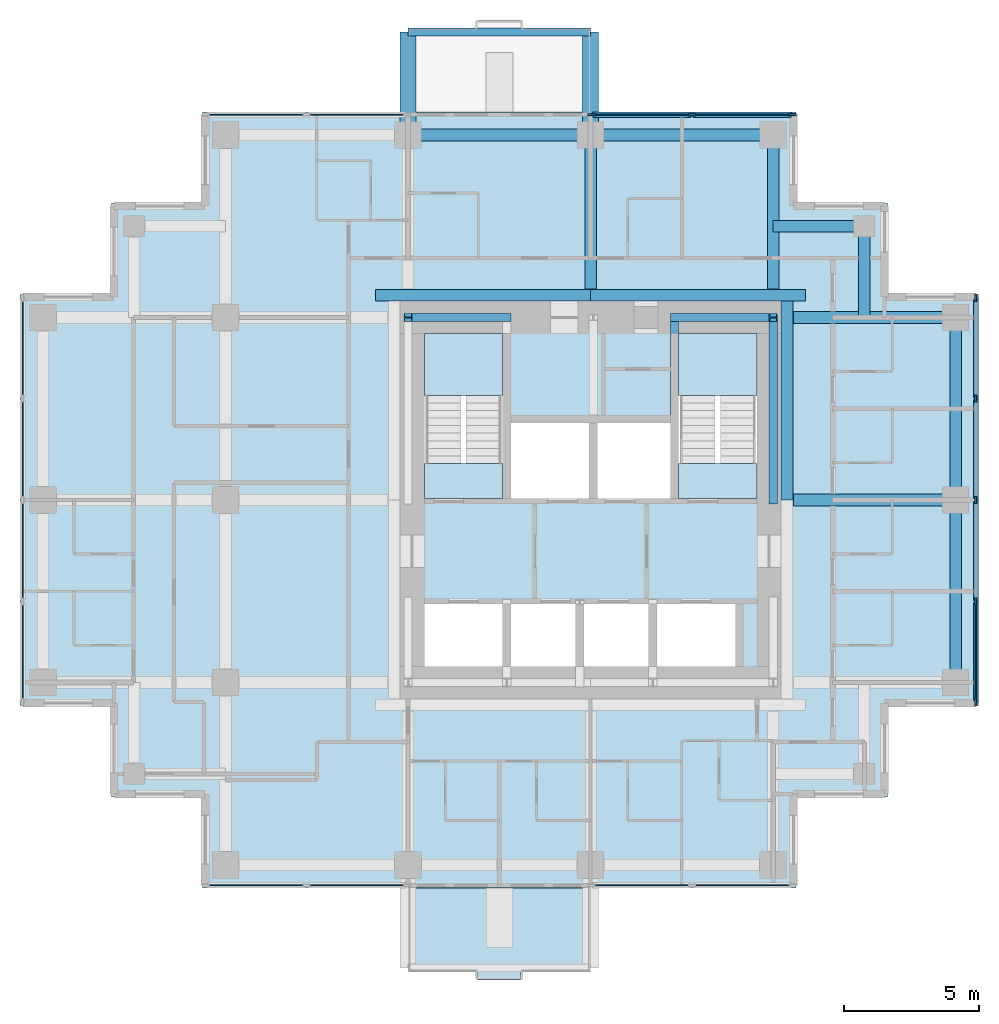
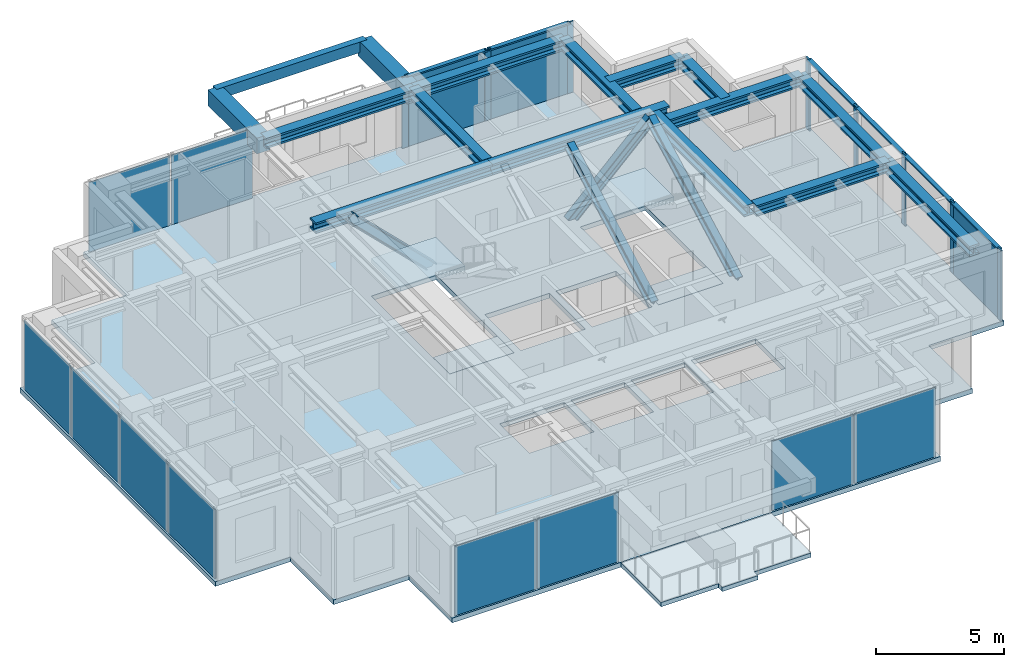
# One storey, part 2 of 8: 18 members, 16 beams, 13 plates, 6 slabs, 8 elements without a shape of their own.
"""IFC4 building model written with IfcOpenShell, lengths in metres."""

from ifc_helpers import new_model, si_unit, direction, frame, origin, origin_2d, place, context, subcontext, project, spatial, polyline, rectangle, i_section, outline, extrude, material, layer, layer_set, material_profile, profile_set, type_object, element, aggregate, save


model = new_model("IFC4")

# Units and contexts
model_context = context("Model", 3, precision=1e-05, world=origin(), true_north=direction((0.0, 1.0)))
body_context = subcontext(model_context, "Body", "Model", "MODEL_VIEW")
ifc_project = project(units=[si_unit("LENGTHUNIT", "METRE"), si_unit("AREAUNIT", "SQUARE_METRE"), si_unit("VOLUMEUNIT", "CUBIC_METRE"), si_unit("PLANEANGLEUNIT", "RADIAN"), si_unit("MASSUNIT", "GRAM", prefix="KILO")], contexts=[model_context])

# Site, building, storey
site_placement = place(None, origin())
site = spatial("IfcSite", under=ifc_project, at=site_placement, CompositionType="ELEMENT")
building_placement = place(site_placement, origin())
building = spatial("IfcBuilding", under=site, at=building_placement, Name="Nyansa Garden Tower", CompositionType="ELEMENT")
storey_placement = place(building_placement, frame((0.0, 0.0, 247.5)))
storey = spatial("IfcBuildingStorey", under=building, at=storey_placement, Name="L67", CompositionType="ELEMENT", Elevation=247.5)

# Beams
ifc_material_1 = material(Name="Concrete C70/85", Category="concrete")
ifc_material_profile_1 = material_profile(ifc_material_1, rectangle(XDim=0.60009765625, YDim=0.75, at=origin_2d()), Name="RC 600x750")
ifc_profile_set_1 = profile_set([ifc_material_profile_1], Name="Concrete C70/85")
beam_type_1 = type_object("IfcBeamType", Name="Balcony cantilever beam CB1 RC 600x750", PredefinedType="BEAM", material=ifc_profile_set_1)
for number, where, z_axis, x_axis, name in (
    (1, (13.5, 33.75, 2.985107421875), (0.0, 1.0, 0.0), (-1.0, 0.0, 0.0), "Balcony cantilever beam L68"),
    (2, (20.25, 33.75, 2.985107421875), (0.0, 1.0, 0.0), (-1.0, 0.0, 0.0), "Balcony cantilever beam L68"),
):
    element("IfcBeam", number, at=place(storey_placement, frame(where, z_axis=z_axis, x_axis=x_axis)), inside=storey, type_object=beam_type_1, Name=name, PredefinedType="BEAM", context=body_context, shape_type="SweptSolid", body=[
        extrude(rectangle(XDim=0.60009765625, YDim=0.75, at=origin_2d()), origin(), (0.0, 0.0, 1.0), 3.800048828125),
    ])
ifc_material_2 = material(Name="Concrete C70/85", Category="concrete")
ifc_material_profile_2 = material_profile(ifc_material_2, rectangle(XDim=0.300048828125, YDim=0.5, at=origin_2d()), Name="RC 300x500")
ifc_profile_set_2 = profile_set([ifc_material_profile_2], Name="Concrete C70/85")
beam_type_2 = type_object("IfcBeamType", Name="Balcony edge beam BE1 RC 300x500", PredefinedType="BEAM", material=ifc_profile_set_2)
beam_1_placement = place(storey_placement, frame((13.5, 37.550048828125, 3.110107421875), z_axis=(1.0, 0.0, 0.0), x_axis=(0.0, 1.0, 0.0)))
element("IfcBeam", 3, at=beam_1_placement, inside=storey, type_object=beam_type_2, Name="Balcony edge beam L68", PredefinedType="BEAM", context=body_context, shape_type="SweptSolid", body=[
    extrude(rectangle(XDim=0.300048828125, YDim=0.5, at=origin_2d()), origin(), (0.0, 0.0, 1.0), 6.75),
])

# Curtain wall, members
ifc_material_3 = material(Name="Black anodised aluminium, dark tinted double glazing", Category="aluminium")
curtain_wall_type = type_object("IfcCurtainWallType", Name="Inner skin curtain wall ISW-D", PredefinedType="USERDEFINED", material=ifc_material_3)
curtain_wall_1_placement = place(storey_placement, origin())
curtain_wall_1 = element("IfcCurtainWall", 4, at=curtain_wall_1_placement, inside=storey, type_object=curtain_wall_type, Name="Inner skin curtain wall L67 E", ObjectType="UNITISED CURTAIN WALL", PredefinedType="USERDEFINED")
ifc_material_4 = material(Name="Black anodised aluminium", Category="aluminium")
ifc_material_profile_3 = material_profile(ifc_material_4, rectangle(XDim=0.070068359375, YDim=0.27490234375, at=origin_2d()), Name="Mullion 275x70")
ifc_profile_set_3 = profile_set([ifc_material_profile_3], Name="Black anodised aluminium")
member_type_1 = type_object("IfcMemberType", Name="Mullion ISW-D 275x70", PredefinedType="MULLION", material=ifc_profile_set_3)
member_1_placement = place(storey_placement, frame((34.5, 12.784912109375, 0.0), z_axis=(0.0, 0.0, 1.0), x_axis=(-1.0, 0.0, 0.0)))
member_1 = element("IfcMember", 5, at=member_1_placement, type_object=member_type_1, Name="ISW-D mullion 1", PredefinedType="MULLION", context=body_context, shape_type="SweptSolid", body=[
    extrude(rectangle(XDim=0.070068359375, YDim=0.27490234375, at=origin_2d()), origin(), (0.0, 0.0, 1.0), 3.375),
])
member_2_placement = place(storey_placement, frame((34.5, 16.5, 0.0), z_axis=(0.0, 0.0, 1.0), x_axis=(-1.0, 0.0, 0.0)))
member_2 = element("IfcMember", 6, at=member_2_placement, type_object=member_type_1, Name="ISW-D mullion 2", PredefinedType="MULLION", context=body_context, shape_type="SweptSolid", body=[
    extrude(rectangle(XDim=0.070068359375, YDim=0.27490234375, at=origin_2d()), origin(), (0.0, 0.0, 1.0), 3.375),
])
member_3_placement = place(storey_placement, frame((34.5, 20.25, 0.0), z_axis=(0.0, 0.0, 1.0), x_axis=(-1.0, 0.0, 0.0)))
member_3 = element("IfcMember", 7, at=member_3_placement, type_object=member_type_1, Name="ISW-D mullion 3", PredefinedType="MULLION", context=body_context, shape_type="SweptSolid", body=[
    extrude(rectangle(XDim=0.070068359375, YDim=0.27490234375, at=origin_2d()), origin(), (0.0, 0.0, 1.0), 3.375),
])
member_4_placement = place(storey_placement, frame((34.5, 24.0, 0.0), z_axis=(0.0, 0.0, 1.0), x_axis=(-1.0, 0.0, 0.0)))
member_4 = element("IfcMember", 8, at=member_4_placement, type_object=member_type_1, Name="ISW-D mullion 4", PredefinedType="MULLION", context=body_context, shape_type="SweptSolid", body=[
    extrude(rectangle(XDim=0.070068359375, YDim=0.27490234375, at=origin_2d()), origin(), (0.0, 0.0, 1.0), 3.375),
])
member_5_placement = place(storey_placement, frame((34.5, 27.715087890625, 0.0), z_axis=(0.0, 0.0, 1.0), x_axis=(-1.0, 0.0, 0.0)))
member_5 = element("IfcMember", 9, at=member_5_placement, type_object=member_type_1, Name="ISW-D mullion 5", PredefinedType="MULLION", context=body_context, shape_type="SweptSolid", body=[
    extrude(rectangle(XDim=0.070068359375, YDim=0.27490234375, at=origin_2d()), origin(), (0.0, 0.0, 1.0), 3.375),
])

curtain_wall_2_placement = place(storey_placement, origin())
curtain_wall_2 = element("IfcCurtainWall", 10, at=curtain_wall_2_placement, inside=storey, type_object=curtain_wall_type, Name="Inner skin curtain wall L67 N", ObjectType="UNITISED CURTAIN WALL", PredefinedType="USERDEFINED")
member_6_placement = place(storey_placement, frame((27.715087890625, 34.5, 0.0), z_axis=(0.0, 0.0, 1.0), x_axis=(0.0, -1.0, 0.0)))
member_6 = element("IfcMember", 11, at=member_6_placement, type_object=member_type_1, Name="ISW-D mullion 1", PredefinedType="MULLION", context=body_context, shape_type="SweptSolid", body=[
    extrude(rectangle(XDim=0.070068359375, YDim=0.27490234375, at=origin_2d()), origin(), (0.0, 0.0, 1.0), 3.375),
])
member_7_placement = place(storey_placement, frame((24.0, 34.5, 0.0), z_axis=(0.0, 0.0, 1.0), x_axis=(0.0, -1.0, 0.0)))
member_7 = element("IfcMember", 12, at=member_7_placement, type_object=member_type_1, Name="ISW-D mullion 2", PredefinedType="MULLION", context=body_context, shape_type="SweptSolid", body=[
    extrude(rectangle(XDim=0.070068359375, YDim=0.27490234375, at=origin_2d()), origin(), (0.0, 0.0, 1.0), 3.375),
])
member_8_placement = place(storey_placement, frame((20.284912109375, 34.5, 0.0), z_axis=(0.0, 0.0, 1.0), x_axis=(0.0, -1.0, 0.0)))
member_8 = element("IfcMember", 13, at=member_8_placement, type_object=member_type_1, Name="ISW-D mullion 3", PredefinedType="MULLION", context=body_context, shape_type="SweptSolid", body=[
    extrude(rectangle(XDim=0.070068359375, YDim=0.27490234375, at=origin_2d()), origin(), (0.0, 0.0, 1.0), 3.375),
])

# Members
ifc_material_5 = material(Name="Steel S355", Category="steel")
ifc_material_profile_4 = material_profile(ifc_material_5, i_section(OverallWidth=0.306884765625, OverallDepth=0.431884765625, WebThickness=0.02099609375, FlangeThickness=0.0400390625, FilletRadius=0.027099609375, at=origin_2d()), Name="HE 400 M")
ifc_profile_set_4 = profile_set([ifc_material_profile_4], Name="Steel S355")
member_type_2 = type_object("IfcMemberType", Name="Perimeter brace HE 400 M", PredefinedType="BRACE", material=ifc_profile_set_4)
for number, where, z_axis, x_axis, name in (
    (14, (17.14990234375, 27.0, 0.0), (-0.711947531702, 0.0, 0.702232662373), (0.0, -1.0, 0.0), "Core brace CN3 L67"),
    (15, (23.35009765625, 27.0, 0.0), (0.711947531702, 0.0, 0.702232662373), (0.0, 1.0, 0.0), "Core brace CN4 L67"),
):
    element("IfcMember", number, at=place(storey_placement, frame(where, z_axis=z_axis, x_axis=x_axis)), inside=storey, type_object=member_type_2, Name=name, PredefinedType="BRACE", context=body_context, shape_type="SweptSolid", body=[
        extrude(i_section(OverallWidth=0.306884765625, OverallDepth=0.431884765625, WebThickness=0.02099609375, FlangeThickness=0.0400390625, FilletRadius=0.027099609375, at=origin_2d()), origin(), (0.0, 0.0, 1.0), 5.126708984375),
    ])
member_9_placement = place(storey_placement, frame((27.0, 20.199951171875, 0.0), z_axis=(0.0, 0.883784057226, 0.467895009796), x_axis=(-1.0, 0.0, 0.0)))
element("IfcMember", 16, at=member_9_placement, inside=storey, type_object=member_type_2, Name="Core brace CE8 L67", PredefinedType="BRACE", context=body_context, shape_type="SweptSolid", body=[
    extrude(i_section(OverallWidth=0.306884765625, OverallDepth=0.431884765625, WebThickness=0.02099609375, FlangeThickness=0.0400390625, FilletRadius=0.027099609375, at=origin_2d()), origin(), (0.0, 0.0, 1.0), 7.6943359375),
])
member_10_placement = place(storey_placement, frame((23.35009765625, 20.449951171875, 0.0), z_axis=(0.0, 0.876353113771, 0.481669201822), x_axis=(-1.0, 0.0, 0.0)))
element("IfcMember", 17, at=member_10_placement, inside=storey, type_object=member_type_2, Name="Core brace CES10 L67", PredefinedType="BRACE", context=body_context, shape_type="SweptSolid", body=[
    extrude(i_section(OverallWidth=0.306884765625, OverallDepth=0.431884765625, WebThickness=0.02099609375, FlangeThickness=0.0400390625, FilletRadius=0.027099609375, at=origin_2d()), origin(), (0.0, 0.0, 1.0), 7.47412109375),
])

# Beams
ifc_material_6 = material(Name="Steel S355", Category="steel")
ifc_material_profile_5 = material_profile(ifc_material_6, i_section(OverallWidth=0.431884765625, OverallDepth=0.498046875, WebThickness=0.0556640625, FlangeThickness=0.0888671875, FilletRadius=0.014892578125, at=origin_2d()), Name="HD 400x744")
ifc_profile_set_5 = profile_set([ifc_material_profile_5], Name="Steel S355")
beam_type_3 = type_object("IfcBeamType", Name="Steel beam SBD1-744 HD 400x744", PredefinedType="BEAM", material=ifc_profile_set_5)
beam_2_placement = place(storey_placement, frame((20.25, 28.050048828125, 3.1259765625), z_axis=(0.0, 1.0, 0.0), x_axis=(-1.0, 0.0, 0.0)))
element("IfcBeam", 18, at=beam_2_placement, inside=storey, type_object=beam_type_3, Name="Steel beam 5/28.050-5/J L68", PredefinedType="BEAM", context=body_context, shape_type="SweptSolid", body=[
    extrude(i_section(OverallWidth=0.431884765625, OverallDepth=0.498046875, WebThickness=0.0556640625, FlangeThickness=0.0888671875, FilletRadius=0.014892578125, at=origin_2d()), origin(), (0.0, 0.0, 1.0), 5.699951171875),
])
beam_3_placement = place(storey_placement, frame((27.75, 20.25, 3.1259765625), z_axis=(1.0, 0.0, 0.0), x_axis=(0.0, 1.0, 0.0)))
element("IfcBeam", 19, at=beam_3_placement, inside=storey, type_object=beam_type_3, Name="Steel beam 27.750/G-7/G L68", PredefinedType="BEAM", context=body_context, shape_type="SweptSolid", body=[
    extrude(i_section(OverallWidth=0.431884765625, OverallDepth=0.498046875, WebThickness=0.0556640625, FlangeThickness=0.0888671875, FilletRadius=0.014892578125, at=origin_2d()), origin(), (0.0, 0.0, 1.0), 6.0),
])
beam_4_placement = place(storey_placement, frame((27.0, 28.050048828125, 3.1259765625), z_axis=(0.0, 1.0, 0.0), x_axis=(-1.0, 0.0, 0.0)))
element("IfcBeam", 20, at=beam_4_placement, inside=storey, type_object=beam_type_3, Name="Steel beam 6/28.050-6/J L68", PredefinedType="BEAM", context=body_context, shape_type="SweptSolid", body=[
    extrude(i_section(OverallWidth=0.431884765625, OverallDepth=0.498046875, WebThickness=0.0556640625, FlangeThickness=0.0888671875, FilletRadius=0.014892578125, at=origin_2d()), origin(), (0.0, 0.0, 1.0), 5.699951171875),
])
beam_5_placement = place(storey_placement, frame((27.75, 27.0, 3.1259765625), z_axis=(1.0, 0.0, 0.0), x_axis=(0.0, 1.0, 0.0)))
element("IfcBeam", 21, at=beam_5_placement, inside=storey, type_object=beam_type_3, Name="Steel beam 27.750/H-7/H L68", PredefinedType="BEAM", context=body_context, shape_type="SweptSolid", body=[
    extrude(i_section(OverallWidth=0.431884765625, OverallDepth=0.498046875, WebThickness=0.0556640625, FlangeThickness=0.0888671875, FilletRadius=0.014892578125, at=origin_2d()), origin(), (0.0, 0.0, 1.0), 6.0),
])
ifc_material_7 = material(Name="Steel S355", Category="steel")
ifc_material_profile_6 = material_profile(ifc_material_7, i_section(OverallWidth=0.431884765625, OverallDepth=0.498046875, WebThickness=0.0556640625, FlangeThickness=0.0888671875, FilletRadius=0.014892578125, at=origin_2d()), Name="HD 400x744")
ifc_profile_set_6 = profile_set([ifc_material_profile_6], Name="Steel S355")
beam_type_4 = type_object("IfcBeamType", Name="Steel beam SEBD-744 HD 400x744", PredefinedType="BEAM", material=ifc_profile_set_6)
for number, where, z_axis, x_axis, name in (
    (22, (13.5, 33.75, 3.1259765625), (1.0, 0.0, 0.0), (0.0, 1.0, 0.0), "Steel edge beam 4/J-5/J L68"),
    (23, (20.25, 33.75, 3.1259765625), (1.0, 0.0, 0.0), (0.0, 1.0, 0.0), "Steel edge beam 5/J-6/J L68"),
    (24, (33.75, 13.5, 3.1259765625), (0.0, 1.0, 0.0), (-1.0, 0.0, 0.0), "Steel edge beam 7/F-7/G L68"),
    (25, (33.75, 20.25, 3.1259765625), (0.0, 1.0, 0.0), (-1.0, 0.0, 0.0), "Steel edge beam 7/G-7/H L68"),
):
    element("IfcBeam", number, at=place(storey_placement, frame(where, z_axis=z_axis, x_axis=x_axis)), inside=storey, type_object=beam_type_4, Name=name, PredefinedType="BEAM", context=body_context, shape_type="SweptSolid", body=[
        extrude(i_section(OverallWidth=0.431884765625, OverallDepth=0.498046875, WebThickness=0.0556640625, FlangeThickness=0.0888671875, FilletRadius=0.014892578125, at=origin_2d()), origin(), (0.0, 0.0, 1.0), 6.75),
    ])
ifc_material_8 = material(Name="Steel S355", Category="steel")
ifc_material_profile_7 = material_profile(ifc_material_8, i_section(OverallWidth=0.431884765625, OverallDepth=0.498046875, WebThickness=0.0556640625, FlangeThickness=0.0888671875, FilletRadius=0.014892578125, at=origin_2d()), Name="HD 400x744")
ifc_profile_set_7 = profile_set([ifc_material_profile_7], Name="Steel S355")
beam_type_5 = type_object("IfcBeamType", Name="Steel beam SLB1-744 HD 400x744", PredefinedType="BEAM", material=ifc_profile_set_7)
beam_6_placement = place(storey_placement, frame((27.51611328125, 20.25, 3.1259765625), z_axis=(0.0, 1.0, 0.0), x_axis=(-1.0, 0.0, 0.0)))
element("IfcBeam", 26, at=beam_6_placement, inside=storey, type_object=beam_type_5, Name="Steel core ledger beam E.2 L68", PredefinedType="BEAM", context=body_context, shape_type="SweptSolid", body=[
    extrude(i_section(OverallWidth=0.431884765625, OverallDepth=0.498046875, WebThickness=0.0556640625, FlangeThickness=0.0888671875, FilletRadius=0.014892578125, at=origin_2d()), origin(), (0.0, 0.0, 1.0), 7.35009765625),
])
for number, where, z_axis, x_axis, name in (
    (27, (28.199951171875, 27.81591796875, 3.1259765625), (-1.0, 0.0, 0.0), (0.0, -1.0, 0.0), "Steel core ledger beam N.1 L68"),
    (28, (20.25, 27.81591796875, 3.1259765625), (-1.0, 0.0, 0.0), (0.0, -1.0, 0.0), "Steel core ledger beam N.2 L68"),
):
    element("IfcBeam", number, at=place(storey_placement, frame(where, z_axis=z_axis, x_axis=x_axis)), inside=storey, type_object=beam_type_5, Name=name, PredefinedType="BEAM", context=body_context, shape_type="SweptSolid", body=[
        extrude(i_section(OverallWidth=0.431884765625, OverallDepth=0.498046875, WebThickness=0.0556640625, FlangeThickness=0.0888671875, FilletRadius=0.014892578125, at=origin_2d()), origin(), (0.0, 0.0, 1.0), 7.949951171875),
    ])
ifc_material_9 = material(Name="Steel S355", Category="steel")
ifc_material_profile_8 = material_profile(ifc_material_9, i_section(OverallWidth=0.431884765625, OverallDepth=0.498046875, WebThickness=0.0556640625, FlangeThickness=0.0888671875, FilletRadius=0.014892578125, at=origin_2d()), Name="HD 400x744")
ifc_profile_set_8 = profile_set([ifc_material_profile_8], Name="Steel S355")
beam_type_6 = type_object("IfcBeamType", Name="Steel beam SSB1-744 HD 400x744", PredefinedType="BEAM", material=ifc_profile_set_8)
for number, where, z_axis, x_axis, name in (
    (29, (30.375, 30.375, 3.1259765625), (0.0, -1.0, 0.0), (1.0, 0.0, 0.0), "Steel step beam 30.375/30.375 L68"),
    (30, (30.375, 30.375, 3.1259765625), (-1.0, 0.0, 0.0), (0.0, -1.0, 0.0), "Steel step beam 30.375/30.375 L68"),
):
    element("IfcBeam", number, at=place(storey_placement, frame(where, z_axis=z_axis, x_axis=x_axis)), inside=storey, type_object=beam_type_6, Name=name, PredefinedType="BEAM", context=body_context, shape_type="SweptSolid", body=[
        extrude(i_section(OverallWidth=0.431884765625, OverallDepth=0.498046875, WebThickness=0.0556640625, FlangeThickness=0.0888671875, FilletRadius=0.014892578125, at=origin_2d()), origin(), (0.0, 0.0, 1.0), 3.375),
    ])

# Member
ifc_material_10 = material(Name="Black anodised aluminium", Category="aluminium")
ifc_material_profile_9 = material_profile(ifc_material_10, rectangle(XDim=0.195068359375, YDim=0.070068359375, at=origin_2d()), Name="Transom 195x70")
ifc_profile_set_9 = profile_set([ifc_material_profile_9], Name="Black anodised aluminium")
member_type_3 = type_object("IfcMemberType", Name="Transom ISW-D 195x70", PredefinedType="USERDEFINED", material=ifc_profile_set_9)
member_11_placement = place(storey_placement, frame((34.5, 12.820068359375, 3.340087890625), z_axis=(0.0, 1.0, 0.0), x_axis=(-1.0, 0.0, 0.0)))
member_11 = element("IfcMember", 31, at=member_11_placement, type_object=member_type_3, Name="ISW-D transom 1", ObjectType="TRANSOM", PredefinedType="USERDEFINED", context=body_context, shape_type="SweptSolid", body=[
    extrude(rectangle(XDim=0.195068359375, YDim=0.070068359375, at=origin_2d()), origin(), (0.0, 0.0, 1.0), 3.64501953125),
])

member_12_placement = place(storey_placement, frame((34.5, 16.534912109375, 3.340087890625), z_axis=(0.0, 1.0, 0.0), x_axis=(-1.0, 0.0, 0.0)))
member_12 = element("IfcMember", 32, at=member_12_placement, type_object=member_type_3, Name="ISW-D transom 2", ObjectType="TRANSOM", PredefinedType="USERDEFINED", context=body_context, shape_type="SweptSolid", body=[
    extrude(rectangle(XDim=0.195068359375, YDim=0.070068359375, at=origin_2d()), origin(), (0.0, 0.0, 1.0), 3.68017578125),
])

member_13_placement = place(storey_placement, frame((34.5, 20.284912109375, 3.340087890625), z_axis=(0.0, 1.0, 0.0), x_axis=(-1.0, 0.0, 0.0)))
member_13 = element("IfcMember", 33, at=member_13_placement, type_object=member_type_3, Name="ISW-D transom 3", ObjectType="TRANSOM", PredefinedType="USERDEFINED", context=body_context, shape_type="SweptSolid", body=[
    extrude(rectangle(XDim=0.195068359375, YDim=0.070068359375, at=origin_2d()), origin(), (0.0, 0.0, 1.0), 3.68017578125),
])

member_14_placement = place(storey_placement, frame((34.5, 24.034912109375, 3.340087890625), z_axis=(0.0, 1.0, 0.0), x_axis=(-1.0, 0.0, 0.0)))
member_14 = element("IfcMember", 34, at=member_14_placement, type_object=member_type_3, Name="ISW-D transom 4", ObjectType="TRANSOM", PredefinedType="USERDEFINED", context=body_context, shape_type="SweptSolid", body=[
    extrude(rectangle(XDim=0.195068359375, YDim=0.070068359375, at=origin_2d()), origin(), (0.0, 0.0, 1.0), 3.64501953125),
])

member_15_placement = place(storey_placement, frame((27.679931640625, 34.5, 3.340087890625), z_axis=(-1.0, 0.0, 0.0), x_axis=(0.0, -1.0, 0.0)))
member_15 = element("IfcMember", 35, at=member_15_placement, type_object=member_type_3, Name="ISW-D transom 1", ObjectType="TRANSOM", PredefinedType="USERDEFINED", context=body_context, shape_type="SweptSolid", body=[
    extrude(rectangle(XDim=0.195068359375, YDim=0.070068359375, at=origin_2d()), origin(), (0.0, 0.0, 1.0), 3.64501953125),
])

member_16_placement = place(storey_placement, frame((23.965087890625, 34.5, 3.340087890625), z_axis=(-1.0, 0.0, 0.0), x_axis=(0.0, -1.0, 0.0)))
member_16 = element("IfcMember", 36, at=member_16_placement, type_object=member_type_3, Name="ISW-D transom 2", ObjectType="TRANSOM", PredefinedType="USERDEFINED", context=body_context, shape_type="SweptSolid", body=[
    extrude(rectangle(XDim=0.195068359375, YDim=0.070068359375, at=origin_2d()), origin(), (0.0, 0.0, 1.0), 3.64501953125),
])

# Slab
ifc_material_11 = material(Name="Concrete C40/50", Category="concrete")
ifc_layer_1 = layer(ifc_material_11, 0.199951171875)
ifc_layer_set_1 = layer_set([ifc_layer_1], Name="Balcony slab BS200")
slab_type_1 = type_object("IfcSlabType", Name="Balcony slab BS200", PredefinedType="FLOOR", material=ifc_layer_set_1)
slab_1_placement = place(storey_placement, frame((0.0, 0.0, -0.239990234375)))
element("IfcSlab", 37, at=slab_1_placement, inside=storey, type_object=slab_type_1, Name="Balcony L67 S", PredefinedType="FLOOR", context=body_context, shape_type="SweptSolid", body=[
    extrude(outline(polyline([(13.5, 5.89990234375), (20.25, 5.89990234375), (20.25, 2.800048828125), (17.675048828125, 2.800048828125), (17.675048828125, 2.5), (16.074951171875, 2.5), (16.074951171875, 2.800048828125), (13.5, 2.800048828125), (13.5, 5.89990234375)])), origin(), (0.0, 0.0, 1.0), 0.199951171875),
])

# Plate
ifc_material_12 = material(Name="Dark tinted laminated double glazing", Category="glass")
ifc_layer_2 = layer(ifc_material_12, 0.0439453125)
ifc_layer_set_2 = layer_set([ifc_layer_2], Name="Dark tinted vision panel VP-D")
plate_type = type_object("IfcPlateType", Name="Dark tinted vision panel VP-D", PredefinedType="CURTAIN_PANEL", material=ifc_layer_set_2)
plate_1_placement = place(storey_placement, frame((34.5, 14.642578125, 0.0), z_axis=(0.0, 0.0, 1.0), x_axis=(0.0, 1.0, 0.0)))
plate_1 = element("IfcPlate", 38, at=plate_1_placement, type_object=plate_type, Name="ISW-D panel 1", PredefinedType="CURTAIN_PANEL", context=body_context, shape_type="SweptSolid", body=[
    extrude(rectangle(XDim=3.64501953125, YDim=0.0439453125, at=origin_2d()), origin(), (0.0, 0.0, 1.0), 3.304931640625),
])

aggregate(curtain_wall_1, [member_1, member_2, member_3, member_4, member_5, member_11, plate_1, member_12, member_13, member_14])

# Curtain wall, plates
curtain_wall_3_placement = place(storey_placement, origin())
curtain_wall_3 = element("IfcCurtainWall", 39, at=curtain_wall_3_placement, inside=storey, type_object=curtain_wall_type, Name="Inner skin curtain wall L67 N", ObjectType="UNITISED CURTAIN WALL", PredefinedType="USERDEFINED")
plate_2_placement = place(storey_placement, frame((11.607421875, 34.5, 0.0), z_axis=(0.0, 0.0, 1.0), x_axis=(-1.0, 0.0, 0.0)))
plate_2 = element("IfcPlate", 40, at=plate_2_placement, type_object=plate_type, Name="ISW-D panel 1", PredefinedType="CURTAIN_PANEL", context=body_context, shape_type="SweptSolid", body=[
    extrude(rectangle(XDim=3.64501953125, YDim=0.0439453125, at=origin_2d()), origin(), (0.0, 0.0, 1.0), 3.304931640625),
])
plate_3_placement = place(storey_placement, frame((7.892578125, 34.5, 0.0), z_axis=(0.0, 0.0, 1.0), x_axis=(-1.0, 0.0, 0.0)))
plate_3 = element("IfcPlate", 41, at=plate_3_placement, type_object=plate_type, Name="ISW-D panel 2", PredefinedType="CURTAIN_PANEL", context=body_context, shape_type="SweptSolid", body=[
    extrude(rectangle(XDim=3.64501953125, YDim=0.0439453125, at=origin_2d()), origin(), (0.0, 0.0, 1.0), 3.304931640625),
])
aggregate(curtain_wall_3, [plate_2, plate_3])

# Plate
plate_4_placement = place(storey_placement, frame((25.857421875, 34.5, 0.0), z_axis=(0.0, 0.0, 1.0), x_axis=(-1.0, 0.0, 0.0)))
plate_4 = element("IfcPlate", 42, at=plate_4_placement, type_object=plate_type, Name="ISW-D panel 1", PredefinedType="CURTAIN_PANEL", context=body_context, shape_type="SweptSolid", body=[
    extrude(rectangle(XDim=3.64501953125, YDim=0.0439453125, at=origin_2d()), origin(), (0.0, 0.0, 1.0), 3.304931640625),
])

plate_5_placement = place(storey_placement, frame((22.142578125, 34.5, 0.0), z_axis=(0.0, 0.0, 1.0), x_axis=(-1.0, 0.0, 0.0)))
plate_5 = element("IfcPlate", 43, at=plate_5_placement, type_object=plate_type, Name="ISW-D panel 2", PredefinedType="CURTAIN_PANEL", context=body_context, shape_type="SweptSolid", body=[
    extrude(rectangle(XDim=3.64501953125, YDim=0.0439453125, at=origin_2d()), origin(), (0.0, 0.0, 1.0), 3.304931640625),
])

aggregate(curtain_wall_2, [member_6, member_7, member_8, member_15, plate_4, member_16, plate_5])

# Curtain wall, plates
curtain_wall_4_placement = place(storey_placement, origin())
curtain_wall_4 = element("IfcCurtainWall", 44, at=curtain_wall_4_placement, inside=storey, type_object=curtain_wall_type, Name="Inner skin curtain wall L67 W", ObjectType="UNITISED CURTAIN WALL", PredefinedType="USERDEFINED")
plate_6_placement = place(storey_placement, frame((-0.75, 25.857421875, 0.0), z_axis=(0.0, 0.0, 1.0), x_axis=(0.0, -1.0, 0.0)))
plate_6 = element("IfcPlate", 45, at=plate_6_placement, type_object=plate_type, Name="ISW-D panel 1", PredefinedType="CURTAIN_PANEL", context=body_context, shape_type="SweptSolid", body=[
    extrude(rectangle(XDim=3.64501953125, YDim=0.0439453125, at=origin_2d()), origin(), (0.0, 0.0, 1.0), 3.304931640625),
])
plate_7_placement = place(storey_placement, frame((-0.75, 22.125, 0.0), z_axis=(0.0, 0.0, 1.0), x_axis=(0.0, -1.0, 0.0)))
plate_7 = element("IfcPlate", 46, at=plate_7_placement, type_object=plate_type, Name="ISW-D panel 2", PredefinedType="CURTAIN_PANEL", context=body_context, shape_type="SweptSolid", body=[
    extrude(rectangle(XDim=3.679931640625, YDim=0.0439453125, at=origin_2d()), origin(), (0.0, 0.0, 1.0), 3.304931640625),
])
plate_8_placement = place(storey_placement, frame((-0.75, 18.375, 0.0), z_axis=(0.0, 0.0, 1.0), x_axis=(0.0, -1.0, 0.0)))
plate_8 = element("IfcPlate", 47, at=plate_8_placement, type_object=plate_type, Name="ISW-D panel 3", PredefinedType="CURTAIN_PANEL", context=body_context, shape_type="SweptSolid", body=[
    extrude(rectangle(XDim=3.679931640625, YDim=0.0439453125, at=origin_2d()), origin(), (0.0, 0.0, 1.0), 3.304931640625),
])
plate_9_placement = place(storey_placement, frame((-0.75, 14.642578125, 0.0), z_axis=(0.0, 0.0, 1.0), x_axis=(0.0, -1.0, 0.0)))
plate_9 = element("IfcPlate", 48, at=plate_9_placement, type_object=plate_type, Name="ISW-D panel 4", PredefinedType="CURTAIN_PANEL", context=body_context, shape_type="SweptSolid", body=[
    extrude(rectangle(XDim=3.64501953125, YDim=0.0439453125, at=origin_2d()), origin(), (0.0, 0.0, 1.0), 3.304931640625),
])
aggregate(curtain_wall_4, [plate_6, plate_7, plate_8, plate_9])

curtain_wall_5_placement = place(storey_placement, origin())
curtain_wall_5 = element("IfcCurtainWall", 49, at=curtain_wall_5_placement, inside=storey, type_object=curtain_wall_type, Name="Inner skin curtain wall L67 S", ObjectType="UNITISED CURTAIN WALL", PredefinedType="USERDEFINED")
plate_10_placement = place(storey_placement, frame((7.892578125, 6.0, 0.0), z_axis=(0.0, 0.0, 1.0), x_axis=(1.0, 0.0, 0.0)))
plate_10 = element("IfcPlate", 50, at=plate_10_placement, type_object=plate_type, Name="ISW-D panel 1", PredefinedType="CURTAIN_PANEL", context=body_context, shape_type="SweptSolid", body=[
    extrude(rectangle(XDim=3.64501953125, YDim=0.0439453125, at=origin_2d()), origin(), (0.0, 0.0, 1.0), 3.304931640625),
])
plate_11_placement = place(storey_placement, frame((11.607421875, 6.0, 0.0), z_axis=(0.0, 0.0, 1.0), x_axis=(1.0, 0.0, 0.0)))
plate_11 = element("IfcPlate", 51, at=plate_11_placement, type_object=plate_type, Name="ISW-D panel 2", PredefinedType="CURTAIN_PANEL", context=body_context, shape_type="SweptSolid", body=[
    extrude(rectangle(XDim=3.64501953125, YDim=0.0439453125, at=origin_2d()), origin(), (0.0, 0.0, 1.0), 3.304931640625),
])
aggregate(curtain_wall_5, [plate_10, plate_11])

curtain_wall_6_placement = place(storey_placement, origin())
curtain_wall_6 = element("IfcCurtainWall", 52, at=curtain_wall_6_placement, inside=storey, type_object=curtain_wall_type, Name="Inner skin curtain wall L67 S", ObjectType="UNITISED CURTAIN WALL", PredefinedType="USERDEFINED")
plate_12_placement = place(storey_placement, frame((22.142578125, 6.0, 0.0), z_axis=(0.0, 0.0, 1.0), x_axis=(1.0, 0.0, 0.0)))
plate_12 = element("IfcPlate", 53, at=plate_12_placement, type_object=plate_type, Name="ISW-D panel 1", PredefinedType="CURTAIN_PANEL", context=body_context, shape_type="SweptSolid", body=[
    extrude(rectangle(XDim=3.64501953125, YDim=0.0439453125, at=origin_2d()), origin(), (0.0, 0.0, 1.0), 3.304931640625),
])
plate_13_placement = place(storey_placement, frame((25.857421875, 6.0, 0.0), z_axis=(0.0, 0.0, 1.0), x_axis=(1.0, 0.0, 0.0)))
plate_13 = element("IfcPlate", 54, at=plate_13_placement, type_object=plate_type, Name="ISW-D panel 2", PredefinedType="CURTAIN_PANEL", context=body_context, shape_type="SweptSolid", body=[
    extrude(rectangle(XDim=3.64501953125, YDim=0.0439453125, at=origin_2d()), origin(), (0.0, 0.0, 1.0), 3.304931640625),
])
aggregate(curtain_wall_6, [plate_12, plate_13])

# Slab
ifc_material_13 = material(Name="Concrete C40/50", Category="concrete")
ifc_layer_3 = layer(ifc_material_13, 0.22509765625)
ifc_layer_set_3 = layer_set([ifc_layer_3], Name="Floor slab FS225")
slab_type_2 = type_object("IfcSlabType", Name="Floor slab FS225", PredefinedType="FLOOR", material=ifc_layer_set_3)
slab_2_placement = place(storey_placement, frame((0.0, 0.0, -0.22509765625)))
element("IfcSlab", 55, at=slab_2_placement, inside=storey, type_object=slab_type_2, Name="Floor slab L67", PredefinedType="FLOOR", context=body_context, shape_type="SweptSolid", body=[
    extrude(outline(polyline([(34.60009765625, 12.64990234375), (31.22509765625, 12.64990234375), (31.22509765625, 9.27490234375), (27.85009765625, 9.27490234375), (27.85009765625, 5.89990234375), (5.89990234375, 5.89990234375), (5.89990234375, 9.27490234375), (2.52490234375, 9.27490234375), (2.52490234375, 12.64990234375), (-0.85009765625, 12.64990234375), (-0.85009765625, 27.85009765625), (2.52490234375, 27.85009765625), (2.52490234375, 31.22509765625), (5.89990234375, 31.22509765625), (5.89990234375, 34.60009765625), (27.85009765625, 34.60009765625), (27.85009765625, 31.22509765625), (31.22509765625, 31.22509765625), (31.22509765625, 27.85009765625), (34.60009765625, 27.85009765625), (34.60009765625, 12.64990234375)]), holes=[polyline([(14.10009765625, 14.10009765625), (17.0, 14.10009765625), (17.0, 16.39990234375), (14.10009765625, 16.39990234375), (14.10009765625, 14.10009765625)]), polyline([(17.300048828125, 14.10009765625), (19.699951171875, 14.10009765625), (19.699951171875, 16.39990234375), (17.300048828125, 16.39990234375), (17.300048828125, 14.10009765625)]), polyline([(20.0, 14.10009765625), (22.39990234375, 14.10009765625), (22.39990234375, 16.39990234375), (20.0, 16.39990234375), (20.0, 14.10009765625)]), polyline([(22.699951171875, 14.10009765625), (25.60009765625, 14.10009765625), (25.60009765625, 16.39990234375), (22.699951171875, 16.39990234375), (22.699951171875, 14.10009765625)]), polyline([(17.300048828125, 20.300048828125), (20.199951171875, 20.300048828125), (20.199951171875, 23.10009765625), (17.300048828125, 23.10009765625), (17.300048828125, 20.300048828125)]), polyline([(20.5, 20.300048828125), (23.199951171875, 20.300048828125), (23.199951171875, 23.10009765625), (20.5, 23.10009765625), (20.5, 20.300048828125)]), polyline([(14.10009765625, 20.300048828125), (17.0, 20.300048828125), (17.0, 26.39990234375), (14.10009765625, 26.39990234375), (14.10009765625, 20.300048828125)]), polyline([(23.5, 20.300048828125), (26.39990234375, 20.300048828125), (26.39990234375, 26.39990234375), (23.5, 26.39990234375), (23.5, 20.300048828125)])]), origin(), (0.0, 0.0, 1.0), 0.22509765625),
])

# Stair, slabs
ifc_material_14 = material(Name="Precast concrete C40/50", Category="concrete")
stair_type_1 = type_object("IfcStairType", Name="Stair S1 180x280", PredefinedType="HALF_TURN_STAIR", material=ifc_material_14)
stair_1_placement = place(storey_placement, origin())
stair_1 = element("IfcStair", 56, at=stair_1_placement, inside=storey, type_object=stair_type_1, Name="Stair S1 L67", PredefinedType="HALF_TURN_STAIR")
ifc_material_15 = material(Name="Concrete C40/50", Category="concrete")
ifc_layer_4 = layer(ifc_material_15, 0.199951171875)
ifc_layer_set_4 = layer_set([ifc_layer_4], Name="Stair landing SL200")
slab_type_3 = type_object("IfcSlabType", Name="Stair landing SL200", PredefinedType="LANDING", material=ifc_layer_set_4)
slab_3_placement = place(storey_placement, frame((0.0, 0.0, -0.199951171875)))
slab_3 = element("IfcSlab", 57, at=slab_3_placement, type_object=slab_type_3, Name="S1 landing 1", PredefinedType="LANDING", context=body_context, shape_type="SweptSolid", body=[
    extrude(outline(polyline([(14.10009765625, 20.300048828125), (17.0, 20.300048828125), (17.0, 21.60009765625), (14.10009765625, 21.60009765625), (14.10009765625, 20.300048828125)])), origin(), (0.0, 0.0, 1.0), 0.199951171875),
])
slab_4_placement = place(storey_placement, frame((0.0, 0.0, 1.60009765625)))
slab_4 = element("IfcSlab", 58, at=slab_4_placement, type_object=slab_type_3, Name="S1 landing 2", PredefinedType="LANDING", context=body_context, shape_type="SweptSolid", body=[
    extrude(outline(polyline([(14.10009765625, 24.1201171875), (17.0, 24.1201171875), (17.0, 26.39990234375), (14.10009765625, 26.39990234375), (14.10009765625, 24.1201171875)])), origin(), (0.0, 0.0, 1.0), 0.199951171875),
])
aggregate(stair_1, [slab_3, slab_4])

ifc_material_16 = material(Name="Precast concrete C40/50", Category="concrete")
stair_type_2 = type_object("IfcStairType", Name="Stair S2 180x280", PredefinedType="HALF_TURN_STAIR", material=ifc_material_16)
stair_2_placement = place(storey_placement, origin())
stair_2 = element("IfcStair", 59, at=stair_2_placement, inside=storey, type_object=stair_type_2, Name="Stair S2 L67", PredefinedType="HALF_TURN_STAIR")
slab_5_placement = place(storey_placement, frame((0.0, 0.0, -0.199951171875)))
slab_5 = element("IfcSlab", 60, at=slab_5_placement, type_object=slab_type_3, Name="S2 landing 1", PredefinedType="LANDING", context=body_context, shape_type="SweptSolid", body=[
    extrude(outline(polyline([(23.5, 20.300048828125), (26.39990234375, 20.300048828125), (26.39990234375, 21.60009765625), (23.5, 21.60009765625), (23.5, 20.300048828125)])), origin(), (0.0, 0.0, 1.0), 0.199951171875),
])
slab_6_placement = place(storey_placement, frame((0.0, 0.0, 1.60009765625)))
slab_6 = element("IfcSlab", 61, at=slab_6_placement, type_object=slab_type_3, Name="S2 landing 2", PredefinedType="LANDING", context=body_context, shape_type="SweptSolid", body=[
    extrude(outline(polyline([(23.5, 24.1201171875), (26.39990234375, 24.1201171875), (26.39990234375, 26.39990234375), (23.5, 26.39990234375), (23.5, 24.1201171875)])), origin(), (0.0, 0.0, 1.0), 0.199951171875),
])
aggregate(stair_2, [slab_5, slab_6])

save(model, "model.ifc")
